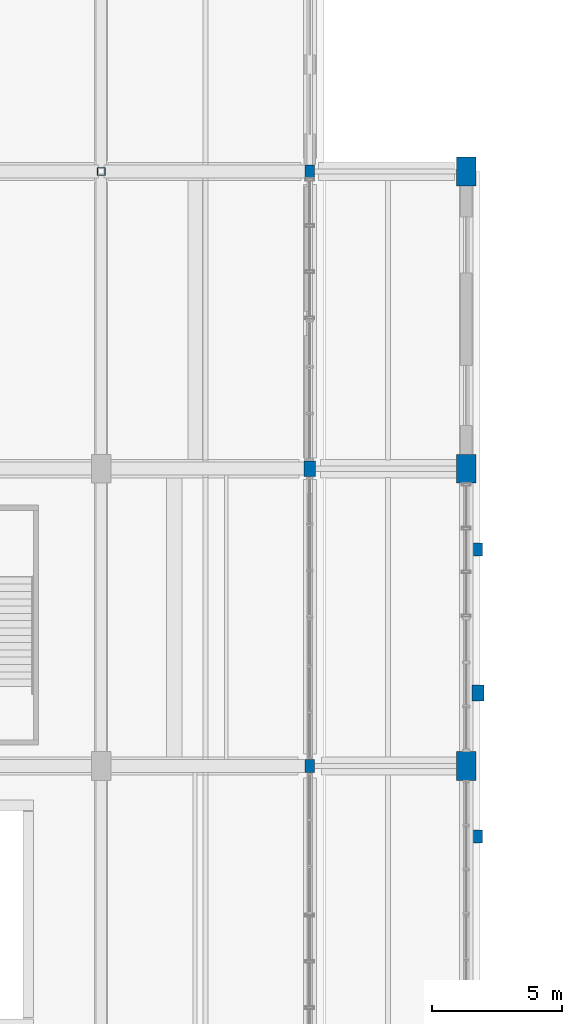
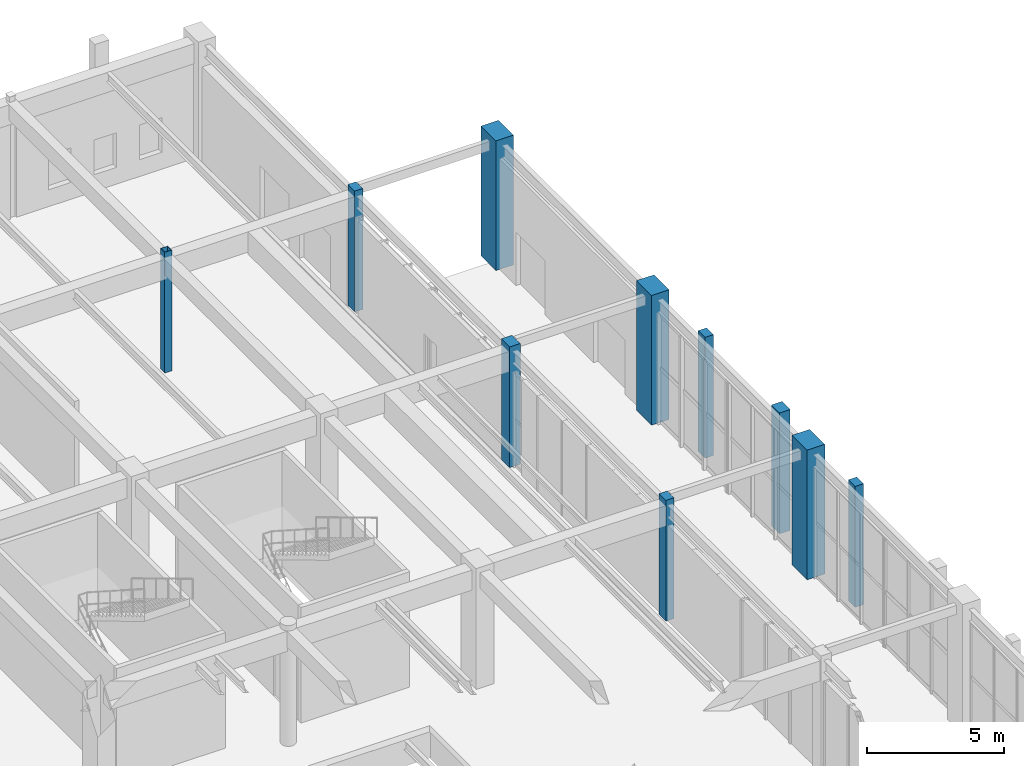
# One storey, part 12 of 113: 10 columns.
"""IFC4 building model written with IfcOpenShell, lengths in metres."""

from ifc_helpers import new_model, si_unit, direction, frame, origin, origin_2d, place, context, subcontext, project, spatial, rectangle, hollow_rectangle, extrude, material, material_profile, profile_set, type_object, element, save


model = new_model("IFC4")

# Units and contexts
model_context = context("Model", 3, precision=1e-05, world=origin(), true_north=direction((0.0, 1.0)))
body_context = subcontext(model_context, "Body", "Model", "MODEL_VIEW")
ifc_project = project(units=[si_unit("LENGTHUNIT", "METRE"), si_unit("AREAUNIT", "SQUARE_METRE"), si_unit("VOLUMEUNIT", "CUBIC_METRE"), si_unit("PLANEANGLEUNIT", "RADIAN"), si_unit("MASSUNIT", "GRAM", prefix="KILO"), si_unit("POWERUNIT", "WATT"), si_unit("THERMODYNAMICTEMPERATUREUNIT", "KELVIN")], contexts=[model_context])

# Site, building, storey
site_placement = place(None, origin())
site = spatial("IfcSite", under=ifc_project, at=site_placement, CompositionType="ELEMENT")
building_placement = place(site_placement, origin())
building = spatial("IfcBuilding", under=site, at=building_placement, Name="Kelmbourne Parkland Aquatics Centre", CompositionType="ELEMENT")
storey_placement = place(building_placement, origin())
storey = spatial("IfcBuildingStorey", under=building, at=storey_placement, Name="L00", CompositionType="ELEMENT", Elevation=0.0)

# Columns
ifc_material_1 = material(Name="Concrete C40/50", Category="concrete")
ifc_material_profile_1 = material_profile(ifc_material_1, rectangle(XDim=0.75, YDim=1.10009765625, at=origin_2d()), Name="RC 750x1100")
ifc_profile_set_1 = profile_set([ifc_material_profile_1], Name="Concrete C40/50")
column_type_1 = type_object("IfcColumnType", Name="COL-C03", PredefinedType="COLUMN", material=ifc_profile_set_1)
for number, where, z_axis, x_axis, name in (
    (1, (46.0, 69.199951171875, 0.0), (0.0, 0.0, 1.0), (1.0, 0.0, 0.0), "Structural column G-10 (L00)"),
    (2, (46.0, 80.60009765625, 0.0), (0.0, 0.0, 1.0), (1.0, 0.0, 0.0), "Structural column G-11 (L00)"),
    (3, (46.0, 92.0, 0.0), (0.0, 0.0, 1.0), (1.0, 0.0, 0.0), "Structural column G-12 (L00)"),
):
    element("IfcColumn", number, at=place(storey_placement, frame(where, z_axis=z_axis, x_axis=x_axis)), inside=storey, type_object=column_type_1, Name=name, PredefinedType="COLUMN", context=body_context, shape_type="SweptSolid", body=[
        extrude(rectangle(XDim=0.75, YDim=1.10009765625, at=origin_2d()), origin(), (0.0, 0.0, 1.0), 5.800048828125),
    ])
ifc_material_2 = material(Name="Cold-formed hollow steel AS/NZS 1163 C350L0", Category="steel")
ifc_material_profile_2 = material_profile(ifc_material_2, hollow_rectangle(XDim=0.300048828125, YDim=0.300048828125, WallThickness=0.012451171875, at=origin_2d()), Name="SHS 300x300x12.5")
ifc_profile_set_2 = profile_set([ifc_material_profile_2], Name="Cold-formed hollow steel AS/NZS 1163 C350L0")
column_type_2 = type_object("IfcColumnType", Name="COL-C22", PredefinedType="COLUMN", material=ifc_profile_set_2)
column_placement = place(storey_placement, frame((32.0, 92.0, 0.0), z_axis=(0.0, 0.0, 1.0), x_axis=(1.0, 0.0, 0.0)))
element("IfcColumn", 4, at=column_placement, inside=storey, type_object=column_type_2, Name="Structural column E-12 (L00)", PredefinedType="COLUMN", context=body_context, shape_type="SweptSolid", body=[
    extrude(hollow_rectangle(XDim=0.300048828125, YDim=0.300048828125, WallThickness=0.012451171875, at=origin_2d()), origin(), (0.0, 0.0, 1.0), 5.39990234375),
])
ifc_material_3 = material(Name="Clay brick masonry AS 3700 M12", Category="masonry")
ifc_material_profile_3 = material_profile(ifc_material_3, rectangle(XDim=0.35009765625, YDim=0.5, at=origin_2d()), Name="PIL 350x500")
ifc_profile_set_3 = profile_set([ifc_material_profile_3], Name="Clay brick masonry AS 3700 M12")
column_type_3 = type_object("IfcColumnType", Name="PIL-PL1", PredefinedType="PILASTER", material=ifc_profile_set_3)
for number, where, z_axis, x_axis, name in (
    (5, (40.0, 69.199951171875, 0.0), (0.0, 0.0, 1.0), (1.0, 0.0, 0.0), "Engaged brick pilaster F-10 (L00)"),
    (6, (40.0, 92.0, 0.0), (0.0, 0.0, 1.0), (1.0, 0.0, 0.0), "Engaged brick pilaster F-12 (L00)"),
    (7, (46.449951171875, 66.5, 0.0), (0.0, 0.0, 1.0), (1.0, 0.0, 0.0), "Amsterdam School engaged brick buttress CW-039 (L00)"),
    (8, (46.449951171875, 77.5, 0.0), (0.0, 0.0, 1.0), (1.0, 0.0, 0.0), "Amsterdam School engaged brick buttress CW-041 (L00)"),
):
    element("IfcColumn", number, at=place(storey_placement, frame(where, z_axis=z_axis, x_axis=x_axis)), inside=storey, type_object=column_type_3, Name=name, PredefinedType="PILASTER", context=body_context, shape_type="SweptSolid", body=[
        extrude(rectangle(XDim=0.35009765625, YDim=0.5, at=origin_2d()), origin(), (0.0, 0.0, 1.0), 5.39990234375),
    ])
ifc_material_profile_4 = material_profile(ifc_material_3, rectangle(XDim=0.449951171875, YDim=0.60009765625, at=origin_2d()), Name="PIL 450x600")
ifc_profile_set_4 = profile_set([ifc_material_profile_4], Name="Clay brick masonry AS 3700 M12")
column_type_4 = type_object("IfcColumnType", Name="PIL-PL2", PredefinedType="PILASTER", material=ifc_profile_set_4)
for number, where, z_axis, x_axis, name in (
    (9, (40.0, 80.60009765625, 0.0), (0.0, 0.0, 1.0), (1.0, 0.0, 0.0), "Engaged brick pilaster F-11 (L00)"),
    (10, (46.449951171875, 72.0, 0.0), (0.0, 0.0, 1.0), (1.0, 0.0, 0.0), "Amsterdam School engaged brick buttress CW-040 (L00)"),
):
    element("IfcColumn", number, at=place(storey_placement, frame(where, z_axis=z_axis, x_axis=x_axis)), inside=storey, type_object=column_type_4, Name=name, PredefinedType="PILASTER", context=body_context, shape_type="SweptSolid", body=[
        extrude(rectangle(XDim=0.449951171875, YDim=0.60009765625, at=origin_2d()), origin(), (0.0, 0.0, 1.0), 5.39990234375),
    ])

save(model, "model.ifc")
